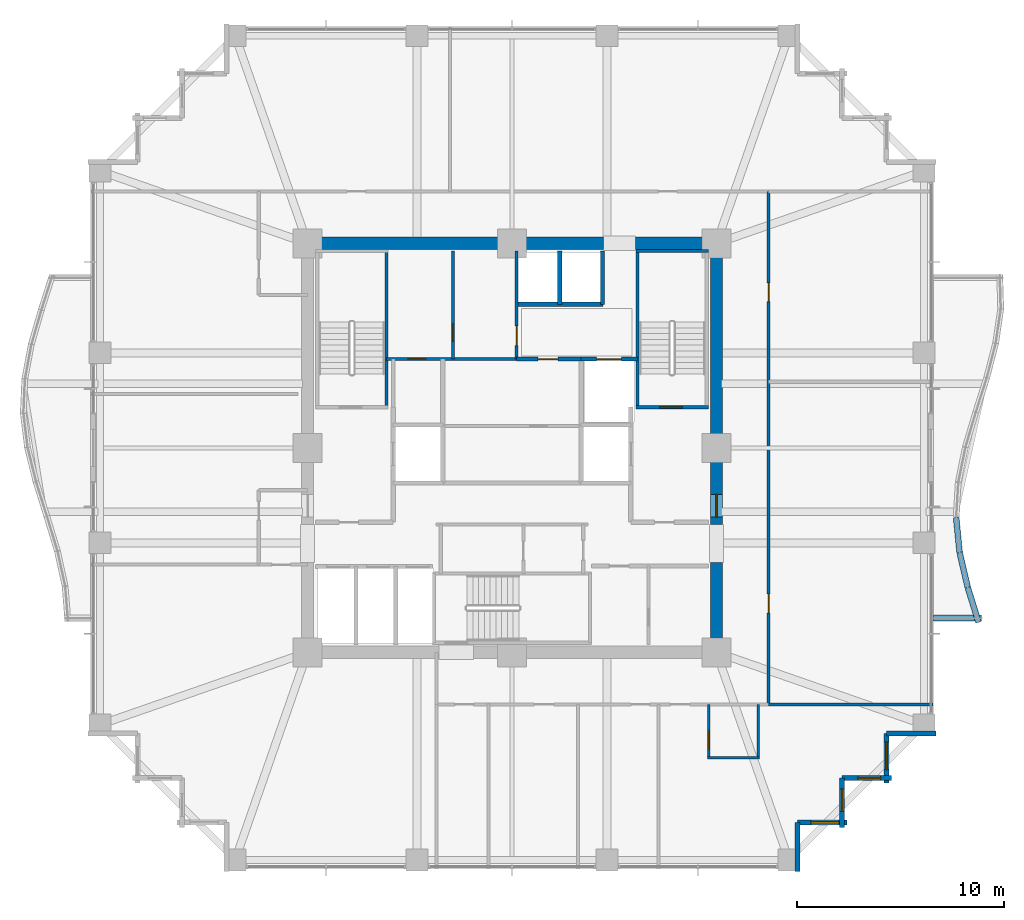
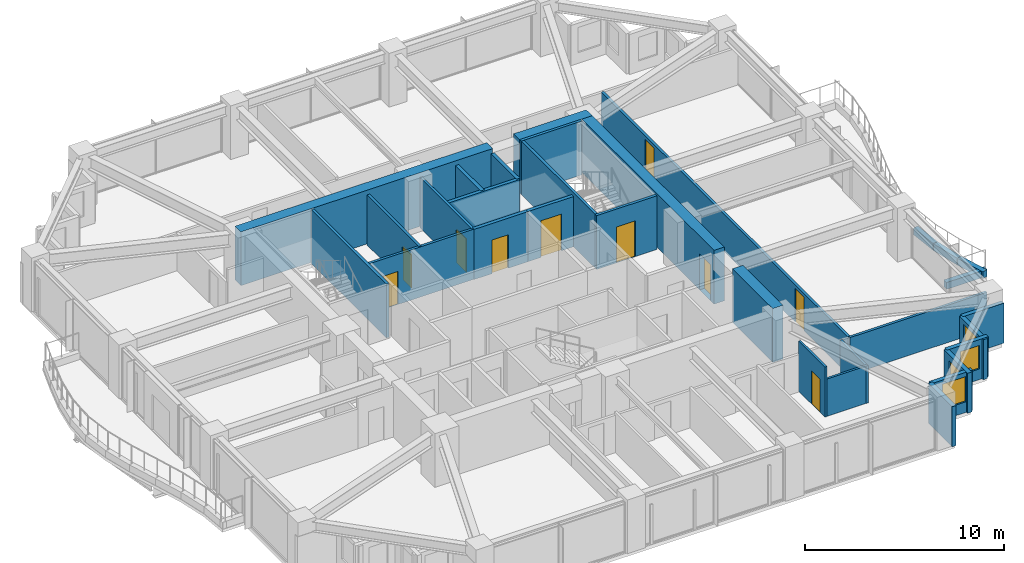
# One storey, part 32 of 36: 31 walls, 10 doors, 4 windows, 14 openings.
"""IFC4 building model written with IfcOpenShell, lengths in metres."""

from ifc_helpers import new_model, si_unit, direction, frame, frame_2d, origin, place, context, subcontext, project, spatial, rectangle, extrude, material, layer, layer_set, type_object, element, fill, save


model = new_model("IFC4")

# Units and contexts
model_context = context("Model", 3, precision=1e-05, world=origin(), true_north=direction((0.0, 1.0)))
body_context = subcontext(model_context, "Body", "Model", "MODEL_VIEW")
ifc_project = project(units=[si_unit("LENGTHUNIT", "METRE"), si_unit("AREAUNIT", "SQUARE_METRE"), si_unit("VOLUMEUNIT", "CUBIC_METRE"), si_unit("PLANEANGLEUNIT", "RADIAN"), si_unit("MASSUNIT", "GRAM", prefix="KILO")], contexts=[model_context])

# Site, building, storey
site_placement = place(None, origin())
site = spatial("IfcSite", under=ifc_project, at=site_placement, CompositionType="ELEMENT")
building_placement = place(site_placement, origin())
building = spatial("IfcBuilding", under=site, at=building_placement, Name="Kolvaren Belvedere", CompositionType="ELEMENT")
storey_placement = place(building_placement, frame((0.0, 0.0, 88.699951171875)))
storey = spatial("IfcBuildingStorey", under=building, at=storey_placement, Name="L25", CompositionType="ELEMENT", Elevation=88.699951171875)

# Walls
ifc_material_1 = material(Name="Concrete C60/75", Category="concrete")
ifc_layer_1 = layer(ifc_material_1, 0.60009765625)
ifc_layer_set_1 = layer_set([ifc_layer_1], Name="Concrete C60/75")
wall_type_1 = type_object("IfcWallType", Name="CW-CORE-600", PredefinedType="SHEAR", material=ifc_layer_set_1)
wall_1_placement = place(storey_placement, frame((-10.199951171875, 9.89990234375, 0.0), z_axis=(0.0, 0.0, 1.0), x_axis=(1.0, 0.0, 0.0)))
element("IfcWall", 1, at=wall_1_placement, inside=storey, type_object=wall_type_1, Name="L25 North Core Shear Wall 1", PredefinedType="SHEAR", context=body_context, shape_type="SweptSolid", body=[
    extrude(rectangle(XDim=14.619873046875, YDim=0.60009765625, at=frame_2d((7.31005859375, 0.0))), origin(), (0.0, 0.0, 1.0), 3.300048828125),
])
wall_2_placement = place(storey_placement, frame((5.97998046875, 9.89990234375, 0.0), z_axis=(0.0, 0.0, 1.0), x_axis=(1.0, 0.0, 0.0)))
element("IfcWall", 2, at=wall_2_placement, inside=storey, type_object=wall_type_1, Name="L25 North Core Shear Wall 2", PredefinedType="SHEAR", context=body_context, shape_type="SweptSolid", body=[
    extrude(rectangle(XDim=4.219970703125, YDim=0.60009765625, at=frame_2d((2.10986328125, 0.0))), origin(), (0.0, 0.0, 1.0), 3.300048828125),
])
wall_3_placement = place(storey_placement, frame((9.89990234375, -9.60009765625, 0.0), z_axis=(0.0, 0.0, 1.0), x_axis=(0.0, 1.0, 0.0)))
element("IfcWall", 3, at=wall_3_placement, inside=storey, type_object=wall_type_1, Name="L25 East Core Shear Wall 1", PredefinedType="SHEAR", context=body_context, shape_type="SweptSolid", body=[
    extrude(rectangle(XDim=4.050048828125, YDim=0.60009765625, at=frame_2d((2.02490234375, 0.0))), origin(), (0.0, 0.0, 1.0), 3.300048828125),
])

# Wall, opening, door
wall_4_placement = place(storey_placement, frame((9.89990234375, -3.699951171875, 0.0), z_axis=(0.0, 0.0, 1.0), x_axis=(0.0, 1.0, 0.0)))
wall_4 = element("IfcWall", 4, at=wall_4_placement, inside=storey, type_object=wall_type_1, Name="L25 East Core Shear Wall 2", PredefinedType="SHEAR", context=body_context, shape_type="SweptSolid", body=[
    extrude(rectangle(XDim=13.300048828125, YDim=0.60009765625, at=frame_2d((6.64990234375, 0.0))), origin(), (0.0, 0.0, 1.0), 3.300048828125),
])
opening_1_placement = place(wall_4_placement, frame((0.35009765625, 0.0, 0.0)))
opening_1 = element("IfcOpeningElement", 5, at=opening_1_placement, cuts=wall_4, Name="Opening D-FD90", PredefinedType="OPENING", context=body_context, shape_type="SweptSolid", body=[
    extrude(rectangle(XDim=1.10009765625, YDim=2.199951171875, at=frame_2d((0.550048828125, 1.10009765625))), frame((0.0, 0.31005859375, 0.0), z_axis=(0.0, -1.0, 0.0), x_axis=(1.0, 0.0, 0.0)), (0.0, 0.0, 1.0), 0.6201171875),
])
ifc_material_2 = material(Name="Painted hollow stainless steel", Category="steel")
door_type_1 = type_object("IfcDoorType", Name="DR-FD90-1100", OperationType="NOTDEFINED", PredefinedType="DOOR", material=ifc_material_2)
door_1_placement = place(opening_1_placement, origin())
door_1 = element("IfcDoor", 6, at=door_1_placement, inside=storey, type_object=door_type_1, Name="L25 East Firefighting Lobby Fire Door", OperationType="SINGLE_SWING_RIGHT", OverallHeight=2.199951171875, OverallWidth=1.10009765625, PredefinedType="DOOR", context=body_context, shape_type="SweptSolid", body=[
    extrude(rectangle(XDim=1.10009765625, YDim=2.199951171875, at=frame_2d((0.550048828125, 1.10009765625))), frame((0.0, 0.02490234375, 0.0), z_axis=(0.0, -1.0, 0.0), x_axis=(1.0, 0.0, 0.0)), (0.0, 0.0, 1.0), 0.050048828125),
])
fill(opening_1, door_1)

# Wall
ifc_material_3 = material(Name="Concrete C50/60", Category="concrete")
ifc_layer_2 = layer(ifc_material_3, 0.159912109375)
ifc_layer_set_2 = layer_set([ifc_layer_2], Name="Concrete C50/60")
wall_type_2 = type_object("IfcWallType", Name="CW-STAIR-160", PredefinedType="SHEAR", material=ifc_layer_set_2)
wall_5_placement = place(storey_placement, frame((-6.080078125, 1.969970703125, 0.0), z_axis=(0.0, 0.0, 1.0), x_axis=(0.0, 1.0, 0.0)))
element("IfcWall", 7, at=wall_5_placement, inside=storey, type_object=wall_type_2, Name="L25 Stair ST-1 East Shear Wall", PredefinedType="SHEAR", context=body_context, shape_type="SweptSolid", body=[
    extrude(rectangle(XDim=7.56005859375, YDim=0.159912109375, at=frame_2d((3.780029296875, 0.0))), origin(), (0.0, 0.0, 1.0), 3.300048828125),
])

# Wall, opening, door
wall_6_placement = place(storey_placement, frame((6.0, 1.969970703125, 0.0), z_axis=(0.0, 0.0, 1.0), x_axis=(1.0, 0.0, 0.0)))
wall_6 = element("IfcWall", 8, at=wall_6_placement, inside=storey, type_object=wall_type_2, Name="L25 Stair ST-2 South Shear Wall", PredefinedType="SHEAR", context=body_context, shape_type="SweptSolid", body=[
    extrude(rectangle(XDim=3.52001953125, YDim=0.159912109375, at=frame_2d((1.760009765625, 0.0))), origin(), (0.0, 0.0, 1.0), 3.300048828125),
])
opening_2_placement = place(wall_6_placement, frame((1.14990234375, 0.0, 0.0)))
opening_2 = element("IfcOpeningElement", 9, at=opening_2_placement, cuts=wall_6, Name="Opening D-FD90", PredefinedType="OPENING", context=body_context, shape_type="SweptSolid", body=[
    extrude(rectangle(XDim=1.10009765625, YDim=2.199951171875, at=frame_2d((0.550048828125, 1.10009765625))), frame((0.0, 0.08984375, 0.0), z_axis=(0.0, -1.0, 0.0), x_axis=(1.0, 0.0, 0.0)), (0.0, 0.0, 1.0), 0.179931640625),
])
door_2_placement = place(opening_2_placement, origin())
door_2 = element("IfcDoor", 10, at=door_2_placement, inside=storey, type_object=door_type_1, Name="L25 Stair ST-2 Fire Door", OperationType="SINGLE_SWING_RIGHT", OverallHeight=2.199951171875, OverallWidth=1.10009765625, PredefinedType="DOOR", context=body_context, shape_type="SweptSolid", body=[
    extrude(rectangle(XDim=1.10009765625, YDim=2.199951171875, at=frame_2d((0.550048828125, 1.10009765625))), frame((0.0, 0.02490234375, 0.0), z_axis=(0.0, -1.0, 0.0), x_axis=(1.0, 0.0, 0.0)), (0.0, 0.0, 1.0), 0.050048828125),
])
fill(opening_2, door_2)

# Walls
wall_7_placement = place(storey_placement, frame((6.0, 9.530029296875, 0.0), z_axis=(0.0, 0.0, 1.0), x_axis=(1.0, 0.0, 0.0)))
element("IfcWall", 11, at=wall_7_placement, inside=storey, type_object=wall_type_2, Name="L25 Stair ST-2 North Shear Wall", PredefinedType="SHEAR", context=body_context, shape_type="SweptSolid", body=[
    extrude(rectangle(XDim=3.52001953125, YDim=0.159912109375, at=frame_2d((1.760009765625, 0.0))), origin(), (0.0, 0.0, 1.0), 3.300048828125),
])
wall_8_placement = place(storey_placement, frame((6.080078125, 1.969970703125, 0.0), z_axis=(0.0, 0.0, 1.0), x_axis=(0.0, 1.0, 0.0)))
element("IfcWall", 12, at=wall_8_placement, inside=storey, type_object=wall_type_2, Name="L25 Stair ST-2 West Shear Wall", PredefinedType="SHEAR", context=body_context, shape_type="SweptSolid", body=[
    extrude(rectangle(XDim=7.56005859375, YDim=0.159912109375, at=frame_2d((3.780029296875, 0.0))), origin(), (0.0, 0.0, 1.0), 3.300048828125),
])

# Wall, openings, doors
ifc_material_4 = material(Name="Gypsum fire-rated partition assembly", Category="gypsum")
ifc_layer_3 = layer(ifc_material_4, 0.14990234375)
ifc_layer_set_3 = layer_set([ifc_layer_3], Name="Gypsum fire-rated partition assembly")
wall_type_3 = type_object("IfcWallType", Name="WL-CORR-150", PredefinedType="PARTITIONING", material=ifc_layer_set_3)
wall_9_placement = place(storey_placement, frame((12.419921875, -12.419921875, 0.0), z_axis=(0.0, 0.0, 1.0), x_axis=(0.0, 1.0, 0.0)))
wall_9 = element("IfcWall", 13, at=wall_9_placement, inside=storey, type_object=wall_type_3, Name="L25 East Corridor Wall", PredefinedType="PARTITIONING", context=body_context, shape_type="SweptSolid", body=[
    extrude(rectangle(XDim=24.83984375, YDim=0.14990234375, at=frame_2d((12.419921875, 0.0))), origin(), (0.0, 0.0, 1.0), 2.2919921875),
])
opening_3_placement = place(wall_9_placement, frame((4.43505859375, 0.0, 0.0)))
opening_3 = element("IfcOpeningElement", 14, at=opening_3_placement, cuts=wall_9, Name="Opening D-INT90", PredefinedType="OPENING", context=body_context, shape_type="SweptSolid", body=[
    extrude(rectangle(XDim=0.89990234375, YDim=2.06005859375, at=frame_2d((0.449951171875, 1.030029296875))), frame((0.0, 0.0849609375, 0.0), z_axis=(0.0, -1.0, 0.0), x_axis=(1.0, 0.0, 0.0)), (0.0, 0.0, 1.0), 0.169921875),
])
opening_4_placement = place(wall_9_placement, frame((19.5048828125, 0.0, 0.0)))
opening_4 = element("IfcOpeningElement", 15, at=opening_4_placement, cuts=wall_9, Name="Opening D-INT90", PredefinedType="OPENING", context=body_context, shape_type="SweptSolid", body=[
    extrude(rectangle(XDim=0.89990234375, YDim=2.06005859375, at=frame_2d((0.449951171875, 1.030029296875))), frame((0.0, 0.0849609375, 0.0), z_axis=(0.0, -1.0, 0.0), x_axis=(1.0, 0.0, 0.0)), (0.0, 0.0, 1.0), 0.169921875),
])
ifc_material_5 = material(Name="Stained Pacific white oak", Category="timber")
door_type_2 = type_object("IfcDoorType", Name="DR-INT-900", OperationType="NOTDEFINED", PredefinedType="DOOR", material=ifc_material_5)
door_3_placement = place(opening_3_placement, origin())
door_3 = element("IfcDoor", 16, at=door_3_placement, inside=storey, type_object=door_type_2, Name="L25 Lounge 2503 Door", OperationType="SINGLE_SWING_RIGHT", OverallHeight=2.06005859375, OverallWidth=0.89990234375, PredefinedType="DOOR", context=body_context, shape_type="SweptSolid", body=[
    extrude(rectangle(XDim=0.89990234375, YDim=2.06005859375, at=frame_2d((0.449951171875, 1.030029296875))), frame((0.0, 0.02490234375, 0.0), z_axis=(0.0, -1.0, 0.0), x_axis=(1.0, 0.0, 0.0)), (0.0, 0.0, 1.0), 0.050048828125),
])
fill(opening_3, door_3)
door_4_placement = place(opening_4_placement, origin())
door_4 = element("IfcDoor", 17, at=door_4_placement, inside=storey, type_object=door_type_2, Name="L25 Guest Tea & Espresso Kitchen 2504 Door", OperationType="SINGLE_SWING_LEFT", OverallHeight=2.06005859375, OverallWidth=0.89990234375, PredefinedType="DOOR", context=body_context, shape_type="SweptSolid", body=[
    extrude(rectangle(XDim=0.89990234375, YDim=2.06005859375, at=frame_2d((0.449951171875, 1.030029296875))), frame((0.0, 0.02490234375, 0.0), z_axis=(0.0, -1.0, 0.0), x_axis=(1.0, 0.0, 0.0)), (0.0, 0.0, 1.0), 0.050048828125),
])
fill(opening_4, door_4)

# Wall
ifc_material_6 = material(Name="Insulated pale-metal facade wall assembly", Category="aluminium")
ifc_layer_4 = layer(ifc_material_6, 0.239990234375)
ifc_layer_set_4 = layer_set([ifc_layer_4], Name="Insulated pale-metal facade wall assembly")
wall_type_4 = type_object("IfcWallType", Name="WL-EXT-240", PredefinedType="STANDARD", material=ifc_layer_set_4)
wall_10_placement = place(storey_placement, frame((13.830078125, -18.1298828125, 0.0), z_axis=(0.0, 0.0, 1.0), x_axis=(0.0, -1.0, 0.0)))
element("IfcWall", 18, at=wall_10_placement, inside=storey, type_object=wall_type_4, Name="L25 Serrated Corner Facade Wall 2", PredefinedType="STANDARD", context=body_context, shape_type="SweptSolid", body=[
    extrude(rectangle(XDim=2.39013671875, YDim=0.239990234375, at=frame_2d((1.195068359375, 0.0))), origin(), (0.0, 0.0, 1.0), 2.458984375),
])

# Wall, opening, window
wall_11_placement = place(storey_placement, frame((16.219970703125, -18.1298828125, 0.0), z_axis=(0.0, 0.0, 1.0), x_axis=(-1.0, 0.0, 0.0)))
wall_11 = element("IfcWall", 19, at=wall_11_placement, inside=storey, type_object=wall_type_4, Name="L25 Serrated Corner Facade Wall 3", PredefinedType="STANDARD", context=body_context, shape_type="SweptSolid", body=[
    extrude(rectangle(XDim=2.389892578125, YDim=0.239990234375, at=frame_2d((1.19482421875, 0.0))), origin(), (0.0, 0.0, 1.0), 2.458984375),
])
opening_5_placement = place(wall_11_placement, frame((0.39990234375, 0.0, 0.64990234375)))
opening_5 = element("IfcOpeningElement", 20, at=opening_5_placement, cuts=wall_11, Name="Opening W-1350", PredefinedType="OPENING", context=body_context, shape_type="SweptSolid", body=[
    extrude(rectangle(XDim=1.35009765625, YDim=1.550048828125, at=frame_2d((0.675048828125, 0.77490234375))), frame((0.0, 0.1298828125, 0.0), z_axis=(0.0, -1.0, 0.0), x_axis=(1.0, 0.0, 0.0)), (0.0, 0.0, 1.0), 0.260009765625),
])
ifc_material_7 = material(Name="Low-iron triple insulated glass", Category="glass")
window_type_1 = type_object("IfcWindowType", Name="WN-CORN-1350", PartitioningType="SINGLE_PANEL", PredefinedType="WINDOW", material=ifc_material_7)
window_1_placement = place(opening_5_placement, origin())
window_1 = element("IfcWindow", 21, at=window_1_placement, inside=storey, type_object=window_type_1, Name="L25 Serrated Corner Vision Window 3", OverallHeight=1.550048828125, OverallWidth=1.35009765625, PartitioningType="SINGLE_PANEL", PredefinedType="WINDOW", context=body_context, shape_type="SweptSolid", body=[
    extrude(rectangle(XDim=1.35009765625, YDim=1.550048828125, at=frame_2d((0.675048828125, 0.77490234375))), frame((0.0, 0.030029296875, 0.0), z_axis=(0.0, -1.0, 0.0), x_axis=(1.0, 0.0, 0.0)), (0.0, 0.0, 1.0), 0.06005859375),
])
fill(opening_5, window_1)

wall_12_placement = place(storey_placement, frame((15.97998046875, -15.97998046875, 0.0), z_axis=(0.0, 0.0, 1.0), x_axis=(0.0, -1.0, 0.0)))
wall_12 = element("IfcWall", 22, at=wall_12_placement, inside=storey, type_object=wall_type_4, Name="L25 Serrated Corner Facade Wall 4", PredefinedType="STANDARD", context=body_context, shape_type="SweptSolid", body=[
    extrude(rectangle(XDim=2.39013671875, YDim=0.239990234375, at=frame_2d((1.195068359375, 0.0))), origin(), (0.0, 0.0, 1.0), 2.458984375),
])
opening_6_placement = place(wall_12_placement, frame((0.52490234375, 0.0, 0.64990234375)))
opening_6 = element("IfcOpeningElement", 23, at=opening_6_placement, cuts=wall_12, Name="Opening W-1100", PredefinedType="OPENING", context=body_context, shape_type="SweptSolid", body=[
    extrude(rectangle(XDim=1.10009765625, YDim=1.449951171875, at=frame_2d((0.550048828125, 0.72509765625))), frame((0.0, 0.1298828125, 0.0), z_axis=(0.0, -1.0, 0.0), x_axis=(1.0, 0.0, 0.0)), (0.0, 0.0, 1.0), 0.260009765625),
])
ifc_material_8 = material(Name="Low-iron triple insulated glass", Category="glass")
window_type_2 = type_object("IfcWindowType", Name="WN-CORN-1100", PartitioningType="SINGLE_PANEL", PredefinedType="WINDOW", material=ifc_material_8)
window_2_placement = place(opening_6_placement, origin())
window_2 = element("IfcWindow", 24, at=window_2_placement, inside=storey, type_object=window_type_2, Name="L25 Serrated Corner Vision Window 4", OverallHeight=1.449951171875, OverallWidth=1.10009765625, PartitioningType="SINGLE_PANEL", PredefinedType="WINDOW", context=body_context, shape_type="SweptSolid", body=[
    extrude(rectangle(XDim=1.10009765625, YDim=1.449951171875, at=frame_2d((0.550048828125, 0.72509765625))), frame((0.0, 0.030029296875, 0.0), z_axis=(0.0, -1.0, 0.0), x_axis=(1.0, 0.0, 0.0)), (0.0, 0.0, 1.0), 0.06005859375),
])
fill(opening_6, window_2)

wall_13_placement = place(storey_placement, frame((18.3701171875, -15.97998046875, 0.0), z_axis=(0.0, 0.0, 1.0), x_axis=(-1.0, 0.0, 0.0)))
wall_13 = element("IfcWall", 25, at=wall_13_placement, inside=storey, type_object=wall_type_4, Name="L25 Serrated Corner Facade Wall 5", PredefinedType="STANDARD", context=body_context, shape_type="SweptSolid", body=[
    extrude(rectangle(XDim=2.39013671875, YDim=0.239990234375, at=frame_2d((1.195068359375, 0.0))), origin(), (0.0, 0.0, 1.0), 2.458984375),
])
opening_7_placement = place(wall_13_placement, frame((0.52490234375, 0.0, 0.64990234375)))
opening_7 = element("IfcOpeningElement", 26, at=opening_7_placement, cuts=wall_13, Name="Opening W-1100", PredefinedType="OPENING", context=body_context, shape_type="SweptSolid", body=[
    extrude(rectangle(XDim=1.10009765625, YDim=1.449951171875, at=frame_2d((0.550048828125, 0.72509765625))), frame((0.0, 0.1298828125, 0.0), z_axis=(0.0, -1.0, 0.0), x_axis=(1.0, 0.0, 0.0)), (0.0, 0.0, 1.0), 0.260009765625),
])
window_3_placement = place(opening_7_placement, origin())
window_3 = element("IfcWindow", 27, at=window_3_placement, inside=storey, type_object=window_type_2, Name="L25 Serrated Corner Vision Window 5", OverallHeight=1.449951171875, OverallWidth=1.10009765625, PartitioningType="SINGLE_PANEL", PredefinedType="WINDOW", context=body_context, shape_type="SweptSolid", body=[
    extrude(rectangle(XDim=1.10009765625, YDim=1.449951171875, at=frame_2d((0.550048828125, 0.72509765625))), frame((0.0, 0.030029296875, 0.0), z_axis=(0.0, -1.0, 0.0), x_axis=(1.0, 0.0, 0.0)), (0.0, 0.0, 1.0), 0.06005859375),
])
fill(opening_7, window_3)

wall_14_placement = place(storey_placement, frame((18.1298828125, -13.830078125, 0.0), z_axis=(0.0, 0.0, 1.0), x_axis=(0.0, -1.0, 0.0)))
wall_14 = element("IfcWall", 28, at=wall_14_placement, inside=storey, type_object=wall_type_4, Name="L25 Serrated Corner Facade Wall 6", PredefinedType="STANDARD", context=body_context, shape_type="SweptSolid", body=[
    extrude(rectangle(XDim=2.389892578125, YDim=0.239990234375, at=frame_2d((1.19482421875, 0.0))), origin(), (0.0, 0.0, 1.0), 2.458984375),
])
opening_8_placement = place(wall_14_placement, frame((0.39990234375, 0.0, 0.64990234375)))
opening_8 = element("IfcOpeningElement", 29, at=opening_8_placement, cuts=wall_14, Name="Opening W-1350", PredefinedType="OPENING", context=body_context, shape_type="SweptSolid", body=[
    extrude(rectangle(XDim=1.35009765625, YDim=1.550048828125, at=frame_2d((0.675048828125, 0.77490234375))), frame((0.0, 0.1298828125, 0.0), z_axis=(0.0, -1.0, 0.0), x_axis=(1.0, 0.0, 0.0)), (0.0, 0.0, 1.0), 0.260009765625),
])
window_4_placement = place(opening_8_placement, origin())
window_4 = element("IfcWindow", 30, at=window_4_placement, inside=storey, type_object=window_type_1, Name="L25 Serrated Corner Vision Window 6", OverallHeight=1.550048828125, OverallWidth=1.35009765625, PartitioningType="SINGLE_PANEL", PredefinedType="WINDOW", context=body_context, shape_type="SweptSolid", body=[
    extrude(rectangle(XDim=1.35009765625, YDim=1.550048828125, at=frame_2d((0.675048828125, 0.77490234375))), frame((0.0, 0.030029296875, 0.0), z_axis=(0.0, -1.0, 0.0), x_axis=(1.0, 0.0, 0.0)), (0.0, 0.0, 1.0), 0.06005859375),
])
fill(opening_8, window_4)

# Wall
wall_15_placement = place(storey_placement, frame((20.52001953125, -13.830078125, 0.0), z_axis=(0.0, 0.0, 1.0), x_axis=(-1.0, 0.0, 0.0)))
element("IfcWall", 31, at=wall_15_placement, inside=storey, type_object=wall_type_4, Name="L25 Serrated Corner Facade Wall 7", PredefinedType="STANDARD", context=body_context, shape_type="SweptSolid", body=[
    extrude(rectangle(XDim=2.39013671875, YDim=0.239990234375, at=frame_2d((1.195068359375, 0.0))), origin(), (0.0, 0.0, 1.0), 2.458984375),
])

# Wall, opening, door
ifc_material_9 = material(Name="Gypsum acoustic partition assembly", Category="gypsum")
ifc_layer_5 = layer(ifc_material_9, 0.14990234375)
ifc_layer_set_5 = layer_set([ifc_layer_5], Name="Gypsum acoustic partition assembly")
wall_type_5 = type_object("IfcWallType", Name="WL-PART-150", PredefinedType="PARTITIONING", material=ifc_layer_set_5)
wall_16_placement = place(storey_placement, frame((-6.080078125, 4.300048828125, 0.0), z_axis=(0.0, 0.0, 1.0), x_axis=(1.0, 0.0, 0.0)))
wall_16 = element("IfcWall", 32, at=wall_16_placement, inside=storey, type_object=wall_type_5, Name="L25 Reclaimed Salon South Wall", PredefinedType="PARTITIONING", context=body_context, shape_type="SweptSolid", body=[
    extrude(rectangle(XDim=6.300048828125, YDim=0.14990234375, at=frame_2d((3.14990234375, 0.0))), origin(), (0.0, 0.0, 1.0), 3.080078125),
])
opening_9_placement = place(wall_16_placement, frame((1.050048828125, 0.0, 0.0)))
opening_9 = element("IfcOpeningElement", 33, at=opening_9_placement, cuts=wall_16, Name="Opening D-INT85", PredefinedType="OPENING", context=body_context, shape_type="SweptSolid", body=[
    extrude(rectangle(XDim=0.85009765625, YDim=2.030029296875, at=frame_2d((0.425048828125, 1.01513671875))), frame((0.0, 0.0849609375, 0.0), z_axis=(0.0, -1.0, 0.0), x_axis=(1.0, 0.0, 0.0)), (0.0, 0.0, 1.0), 0.169921875),
])
ifc_material_10 = material(Name="Stained Pacific white oak", Category="timber")
door_type_3 = type_object("IfcDoorType", Name="DR-INT-850", OperationType="NOTDEFINED", PredefinedType="DOOR", material=ifc_material_10)
door_5_placement = place(opening_9_placement, origin())
door_5 = element("IfcDoor", 34, at=door_5_placement, inside=storey, type_object=door_type_3, Name="L25 NW Core Store Door", OperationType="SINGLE_SWING_RIGHT", OverallHeight=2.030029296875, OverallWidth=0.85009765625, PredefinedType="DOOR", context=body_context, shape_type="SweptSolid", body=[
    extrude(rectangle(XDim=0.85009765625, YDim=2.030029296875, at=frame_2d((0.425048828125, 1.01513671875))), frame((0.0, 0.02490234375, 0.0), z_axis=(0.0, -1.0, 0.0), x_axis=(1.0, 0.0, 0.0)), (0.0, 0.0, 1.0), 0.050048828125),
])
fill(opening_9, door_5)

wall_17_placement = place(storey_placement, frame((0.219970703125, 4.300048828125, 0.0), z_axis=(0.0, 0.0, 1.0), x_axis=(0.0, 1.0, 0.0)))
wall_17 = element("IfcWall", 35, at=wall_17_placement, inside=storey, type_object=wall_type_5, Name="L25 Reclaimed Salon East Wall", PredefinedType="PARTITIONING", context=body_context, shape_type="SweptSolid", body=[
    extrude(rectangle(XDim=5.219970703125, YDim=0.14990234375, at=frame_2d((2.60986328125, 0.0))), origin(), (0.0, 0.0, 1.0), 3.080078125),
])
opening_10_placement = place(wall_17_placement, frame((0.64990234375, 0.0, 0.0)))
opening_10 = element("IfcOpeningElement", 36, at=opening_10_placement, cuts=wall_17, Name="Opening D-INT95", PredefinedType="OPENING", context=body_context, shape_type="SweptSolid", body=[
    extrude(rectangle(XDim=0.949951171875, YDim=2.06005859375, at=frame_2d((0.47509765625, 1.030029296875))), frame((0.0, 0.0849609375, 0.0), z_axis=(0.0, -1.0, 0.0), x_axis=(1.0, 0.0, 0.0)), (0.0, 0.0, 1.0), 0.169921875),
])
ifc_material_11 = material(Name="Stained Pacific white oak", Category="timber")
door_type_4 = type_object("IfcDoorType", Name="DR-INT-950", OperationType="NOTDEFINED", PredefinedType="DOOR", material=ifc_material_11)
door_6_placement = place(opening_10_placement, origin())
door_6 = element("IfcDoor", 37, at=door_6_placement, inside=storey, type_object=door_type_4, Name="L25 Sky Boardroom Door", OperationType="SINGLE_SWING_LEFT", OverallHeight=2.06005859375, OverallWidth=0.949951171875, PredefinedType="DOOR", context=body_context, shape_type="SweptSolid", body=[
    extrude(rectangle(XDim=0.949951171875, YDim=2.06005859375, at=frame_2d((0.47509765625, 1.030029296875))), frame((0.0, 0.02490234375, 0.0), z_axis=(0.0, -1.0, 0.0), x_axis=(1.0, 0.0, 0.0)), (0.0, 0.0, 1.0), 0.050048828125),
])
fill(opening_10, door_6)

wall_18_placement = place(storey_placement, frame((-2.85009765625, 4.300048828125, 0.0), z_axis=(0.0, 0.0, 1.0), x_axis=(0.0, 1.0, 0.0)))
wall_18 = element("IfcWall", 38, at=wall_18_placement, inside=storey, type_object=wall_type_5, Name="L25 Reclaimed Salon Divider", PredefinedType="PARTITIONING", context=body_context, shape_type="SweptSolid", body=[
    extrude(rectangle(XDim=5.219970703125, YDim=0.14990234375, at=frame_2d((2.60986328125, 0.0))), origin(), (0.0, 0.0, 1.0), 3.080078125),
])
opening_11_placement = place(wall_18_placement, frame((0.85009765625, 0.0, 0.0)))
opening_11 = element("IfcOpeningElement", 39, at=opening_11_placement, cuts=wall_18, Name="Opening D-INT85", PredefinedType="OPENING", context=body_context, shape_type="SweptSolid", body=[
    extrude(rectangle(XDim=0.85009765625, YDim=2.030029296875, at=frame_2d((0.425048828125, 1.01513671875))), frame((0.0, 0.0849609375, 0.0), z_axis=(0.0, -1.0, 0.0), x_axis=(1.0, 0.0, 0.0)), (0.0, 0.0, 1.0), 0.169921875),
])
door_7_placement = place(opening_11_placement, origin())
door_7 = element("IfcDoor", 40, at=door_7_placement, inside=storey, type_object=door_type_3, Name="L25 Beverage Pantry Door", OperationType="SINGLE_SWING_RIGHT", OverallHeight=2.030029296875, OverallWidth=0.85009765625, PredefinedType="DOOR", context=body_context, shape_type="SweptSolid", body=[
    extrude(rectangle(XDim=0.85009765625, YDim=2.030029296875, at=frame_2d((0.425048828125, 1.01513671875))), frame((0.0, 0.02490234375, 0.0), z_axis=(0.0, -1.0, 0.0), x_axis=(1.0, 0.0, 0.0)), (0.0, 0.0, 1.0), 0.050048828125),
])
fill(opening_11, door_7)

# Walls
wall_19_placement = place(storey_placement, frame((12.419921875, -12.419921875, 0.0), z_axis=(0.0, 0.0, 1.0), x_axis=(1.0, 0.0, 0.0)))
element("IfcWall", 41, at=wall_19_placement, inside=storey, type_object=wall_type_5, Name="L25 Wing Divider PW-L25-QSE", PredefinedType="PARTITIONING", context=body_context, shape_type="SweptSolid", body=[
    extrude(rectangle(XDim=7.9599609375, YDim=0.14990234375, at=frame_2d((3.97998046875, 0.0))), origin(), (0.0, 0.0, 1.0), 2.2919921875),
])
ifc_material_12 = material(Name="Precast concrete C40/50", Category="concrete")
ifc_layer_6 = layer(ifc_material_12, 0.300048828125)
ifc_layer_set_6 = layer_set([ifc_layer_6], Name="Precast concrete C40/50")
wall_type_6 = type_object("IfcWallType", Name="WL-PLANTER-300", PredefinedType="PARAPET", material=ifc_layer_set_6)
wall_20_placement = place(storey_placement, frame((22.587158203125, -8.447265625, -0.0400390625), z_axis=(0.0, 0.0, 1.0), x_axis=(-0.295831524561, 0.95524013163, 0.0)))
element("IfcWall", 42, at=wall_20_placement, inside=storey, type_object=wall_type_6, Name="L25 Precast Structural Planter Wall BAL-E-1", PredefinedType="PARAPET", context=body_context, shape_type="SweptSolid", body=[
    extrude(rectangle(XDim=1.758544921875, YDim=0.280029296875, at=frame_2d((0.87939453125, 0.0))), origin(), (0.0, 0.0, 1.0), 0.420166015625),
])
wall_21_placement = place(storey_placement, frame((22.06396484375, -6.75634765625, -0.0400390625), z_axis=(0.0, 0.0, 1.0), x_axis=(-0.227019323824, 0.973890253884, 0.0)))
element("IfcWall", 43, at=wall_21_placement, inside=storey, type_object=wall_type_6, Name="L25 Precast Structural Planter Wall BAL-E-2", PredefinedType="PARAPET", context=body_context, shape_type="SweptSolid", body=[
    extrude(rectangle(XDim=1.724853515625, YDim=0.280029296875, at=frame_2d((0.8623046875, 0.0))), origin(), (0.0, 0.0, 1.0), 0.420166015625),
])
wall_22_placement = place(storey_placement, frame((21.6689453125, -5.0556640625, -0.0400390625), z_axis=(0.0, 0.0, 1.0), x_axis=(-0.098343801694, 0.995152499202, 0.0)))
element("IfcWall", 44, at=wall_22_placement, inside=storey, type_object=wall_type_6, Name="L25 Precast Structural Planter Wall BAL-E-3", PredefinedType="PARAPET", context=body_context, shape_type="SweptSolid", body=[
    extrude(rectangle(XDim=1.688232421875, YDim=0.280029296875, at=frame_2d((0.84423828125, 0.0))), origin(), (0.0, 0.0, 1.0), 0.420166015625),
])
wall_23_placement = place(storey_placement, frame((20.39990234375, -8.239990234375, -0.0400390625), z_axis=(0.0, 0.0, 1.0), x_axis=(1.0, 0.0, 0.0)))
element("IfcWall", 45, at=wall_23_placement, inside=storey, type_object=wall_type_6, Name="L25 Precast Structural Planter Wall BAL-E-22", PredefinedType="PARAPET", context=body_context, shape_type="SweptSolid", body=[
    extrude(rectangle(XDim=2.340087890625, YDim=0.280029296875, at=frame_2d((1.169921875, 0.0))), origin(), (0.0, 0.0, 1.0), 0.420166015625),
])

# Wall, opening, door
ifc_material_13 = material(Name="Concrete C50/60", Category="concrete")
ifc_layer_7 = layer(ifc_material_13, 0.199951171875)
ifc_layer_set_7 = layer_set([ifc_layer_7], Name="Concrete C50/60")
wall_type_7 = type_object("IfcWallType", Name="WL-SHAFT-200", PredefinedType="SOLIDWALL", material=ifc_layer_set_7)
wall_24_placement = place(storey_placement, frame((3.35009765625, 4.300048828125, 0.0), z_axis=(0.0, 0.0, 1.0), x_axis=(1.0, 0.0, 0.0)))
wall_24 = element("IfcWall", 46, at=wall_24_placement, inside=storey, type_object=wall_type_7, Name="L25 Service Lift SV1 Front Wall", PredefinedType="SOLIDWALL", context=body_context, shape_type="SweptSolid", body=[
    extrude(rectangle(XDim=2.72998046875, YDim=0.199951171875, at=frame_2d((1.364990234375, 0.0))), origin(), (0.0, 0.0, 1.0), 3.080078125),
])
opening_12_placement = place(wall_24_placement, frame((0.75, 0.0, 0.0)))
opening_12 = element("IfcOpeningElement", 47, at=opening_12_placement, cuts=wall_24, Name="Opening LD-12", PredefinedType="OPENING", context=body_context, shape_type="SweptSolid", body=[
    extrude(rectangle(XDim=1.199951171875, YDim=2.25, at=frame_2d((0.60009765625, 1.125))), frame((0.0, 0.10986328125, 0.0), z_axis=(0.0, -1.0, 0.0), x_axis=(1.0, 0.0, 0.0)), (0.0, 0.0, 1.0), 0.219970703125),
])
ifc_material_14 = material(Name="Brushed stainless steel", Category="steel")
door_type_5 = type_object("IfcDoorType", Name="DR-LIFT-1200", OperationType="DOUBLE_DOOR_SLIDING", PredefinedType="DOOR", material=ifc_material_14)
door_8_placement = place(opening_12_placement, origin())
door_8 = element("IfcDoor", 48, at=door_8_placement, inside=storey, type_object=door_type_5, Name="L25 Service Lift SV1 Landing Door", OperationType="DOUBLE_DOOR_SLIDING", OverallHeight=2.25, OverallWidth=1.199951171875, PredefinedType="DOOR", context=body_context, shape_type="SweptSolid", body=[
    extrude(rectangle(XDim=1.199951171875, YDim=2.25, at=frame_2d((0.60009765625, 1.125))), frame((0.0, 0.02490234375, 0.0), z_axis=(0.0, -1.0, 0.0), x_axis=(1.0, 0.0, 0.0)), (0.0, 0.0, 1.0), 0.050048828125),
])
fill(opening_12, door_8)

# Walls
wall_25_placement = place(storey_placement, frame((0.219970703125, 6.949951171875, 0.0), z_axis=(0.0, 0.0, 1.0), x_axis=(1.0, 0.0, 0.0)))
element("IfcWall", 49, at=wall_25_placement, inside=storey, type_object=wall_type_7, Name="L25 Express Shuttle Hoistway Wall", PredefinedType="SOLIDWALL", context=body_context, shape_type="SweptSolid", body=[
    extrude(rectangle(XDim=4.179931640625, YDim=0.199951171875, at=frame_2d((2.08984375, 0.0))), origin(), (0.0, 0.0, 1.0), 3.080078125),
])
for number, where, z_axis, x_axis, name in (
    (50, (4.3798828125, 6.949951171875, 0.0), (0.0, 0.0, 1.0), (0.0, 1.0, 0.0), "L25 Express Shuttle East Wall"),
    (51, (2.31005859375, 6.949951171875, 0.0), (0.0, 0.0, 1.0), (0.0, 1.0, 0.0), "L25 Express Shuttle Divider"),
):
    element("IfcWall", number, at=place(storey_placement, frame(where, z_axis=z_axis, x_axis=x_axis)), inside=storey, type_object=wall_type_7, Name=name, PredefinedType="SOLIDWALL", context=body_context, shape_type="SweptSolid", body=[
        extrude(rectangle(XDim=2.570068359375, YDim=0.199951171875, at=frame_2d((1.28515625, 0.0))), origin(), (0.0, 0.0, 1.0), 3.080078125),
    ])

# Wall, opening, door
wall_26_placement = place(storey_placement, frame((0.219970703125, 4.300048828125, 0.0), z_axis=(0.0, 0.0, 1.0), x_axis=(1.0, 0.0, 0.0)))
wall_26 = element("IfcWall", 52, at=wall_26_placement, inside=storey, type_object=wall_type_7, Name="L25 Central Core Room North Wall", PredefinedType="SOLIDWALL", context=body_context, shape_type="SweptSolid", body=[
    extrude(rectangle(XDim=3.130126953125, YDim=0.199951171875, at=frame_2d((1.56494140625, 0.0))), origin(), (0.0, 0.0, 1.0), 3.080078125),
])
opening_13_placement = place(wall_26_placement, frame((1.050048828125, 0.0, 0.0)))
opening_13 = element("IfcOpeningElement", 53, at=opening_13_placement, cuts=wall_26, Name="Opening D-FD60", PredefinedType="OPENING", context=body_context, shape_type="SweptSolid", body=[
    extrude(rectangle(XDim=0.949951171875, YDim=2.06005859375, at=frame_2d((0.47509765625, 1.030029296875))), frame((0.0, 0.10986328125, 0.0), z_axis=(0.0, -1.0, 0.0), x_axis=(1.0, 0.0, 0.0)), (0.0, 0.0, 1.0), 0.219970703125),
])
ifc_material_15 = material(Name="Acoustic white-oak fire door leaf", Category="timber")
door_type_6 = type_object("IfcDoorType", Name="DR-FD60-950", OperationType="NOTDEFINED", PredefinedType="DOOR", material=ifc_material_15)
door_9_placement = place(opening_13_placement, origin())
door_9 = element("IfcDoor", 54, at=door_9_placement, inside=storey, type_object=door_type_6, Name="L25 Central Core Controls Door", OperationType="SINGLE_SWING_LEFT", OverallHeight=2.06005859375, OverallWidth=0.949951171875, PredefinedType="DOOR", context=body_context, shape_type="SweptSolid", body=[
    extrude(rectangle(XDim=0.949951171875, YDim=2.06005859375, at=frame_2d((0.47509765625, 1.030029296875))), frame((0.0, 0.02490234375, 0.0), z_axis=(0.0, -1.0, 0.0), x_axis=(1.0, 0.0, 0.0)), (0.0, 0.0, 1.0), 0.050048828125),
])
fill(opening_13, door_9)

ifc_material_16 = material(Name="Moisture-resistant gypsum partition", Category="gypsum")
ifc_layer_8 = layer(ifc_material_16, 0.125)
ifc_layer_set_8 = layer_set([ifc_layer_8], Name="Moisture-resistant gypsum partition")
wall_type_8 = type_object("IfcWallType", Name="WL-WET-125", PredefinedType="PARTITIONING", material=ifc_layer_set_8)
wall_27_placement = place(storey_placement, frame((9.530029296875, -15.074951171875, 0.0), z_axis=(0.0, 0.0, 1.0), x_axis=(0.0, 1.0, 0.0)))
wall_27 = element("IfcWall", 55, at=wall_27_placement, inside=storey, type_object=wall_type_8, Name="L25 Bathroom Partition PW-L25-BTH-9-E", PredefinedType="PARTITIONING", context=body_context, shape_type="SweptSolid", body=[
    extrude(rectangle(XDim=2.639892578125, YDim=0.125, at=frame_2d((1.31982421875, 0.0))), origin(), (0.0, 0.0, 1.0), 3.080078125),
])
opening_14_placement = place(wall_27_placement, frame((0.5, 0.0, 0.0)))
opening_14 = element("IfcOpeningElement", 56, at=opening_14_placement, cuts=wall_27, Name="Opening D-BTH85", PredefinedType="OPENING", context=body_context, shape_type="SweptSolid", body=[
    extrude(rectangle(XDim=0.85009765625, YDim=2.030029296875, at=frame_2d((0.425048828125, 1.01513671875))), frame((0.0, 0.072509765625, 0.0), z_axis=(0.0, -1.0, 0.0), x_axis=(1.0, 0.0, 0.0)), (0.0, 0.0, 1.0), 0.14501953125),
])
ifc_material_17 = material(Name="Moisture-sealed Pacific white oak", Category="timber")
door_type_7 = type_object("IfcDoorType", Name="DR-BATH-850", OperationType="NOTDEFINED", PredefinedType="DOOR", material=ifc_material_17)
door_10_placement = place(opening_14_placement, origin())
door_10 = element("IfcDoor", 57, at=door_10_placement, inside=storey, type_object=door_type_7, Name="L25 En-Suite Bathroom 2509 Door", OperationType="SINGLE_SWING_RIGHT", OverallHeight=2.030029296875, OverallWidth=0.85009765625, PredefinedType="DOOR", context=body_context, shape_type="SweptSolid", body=[
    extrude(rectangle(XDim=0.85009765625, YDim=2.030029296875, at=frame_2d((0.425048828125, 1.01513671875))), frame((0.0, 0.02490234375, 0.0), z_axis=(0.0, -1.0, 0.0), x_axis=(1.0, 0.0, 0.0)), (0.0, 0.0, 1.0), 0.050048828125),
])
fill(opening_14, door_10)

# Walls
wall_28_placement = place(storey_placement, frame((9.469970703125, -14.9951171875, 0.0), z_axis=(0.0, 0.0, 1.0), x_axis=(1.0, 0.0, 0.0)))
element("IfcWall", 58, at=wall_28_placement, inside=storey, type_object=wall_type_8, Name="L25 Bathroom Partition PW-L25-BTH-9-H", PredefinedType="PARTITIONING", context=body_context, shape_type="SweptSolid", body=[
    extrude(rectangle(XDim=2.52001953125, YDim=0.125, at=frame_2d((1.260009765625, 0.0))), origin(), (0.0, 0.0, 1.0), 2.2919921875),
])
wall_29_placement = place(storey_placement, frame((11.929931640625, -15.074951171875, 0.0), z_axis=(0.0, 0.0, 1.0), x_axis=(0.0, 1.0, 0.0)))
element("IfcWall", 59, at=wall_29_placement, inside=storey, type_object=wall_type_8, Name="L25 Bathroom Partition PW-L25-BTH-9-W", PredefinedType="PARTITIONING", context=body_context, shape_type="SweptSolid", body=[
    extrude(rectangle(XDim=2.639892578125, YDim=0.125, at=frame_2d((1.31982421875, 0.0))), origin(), (0.0, 0.0, 1.0), 2.2919921875),
])

save(model, "model.ifc")
